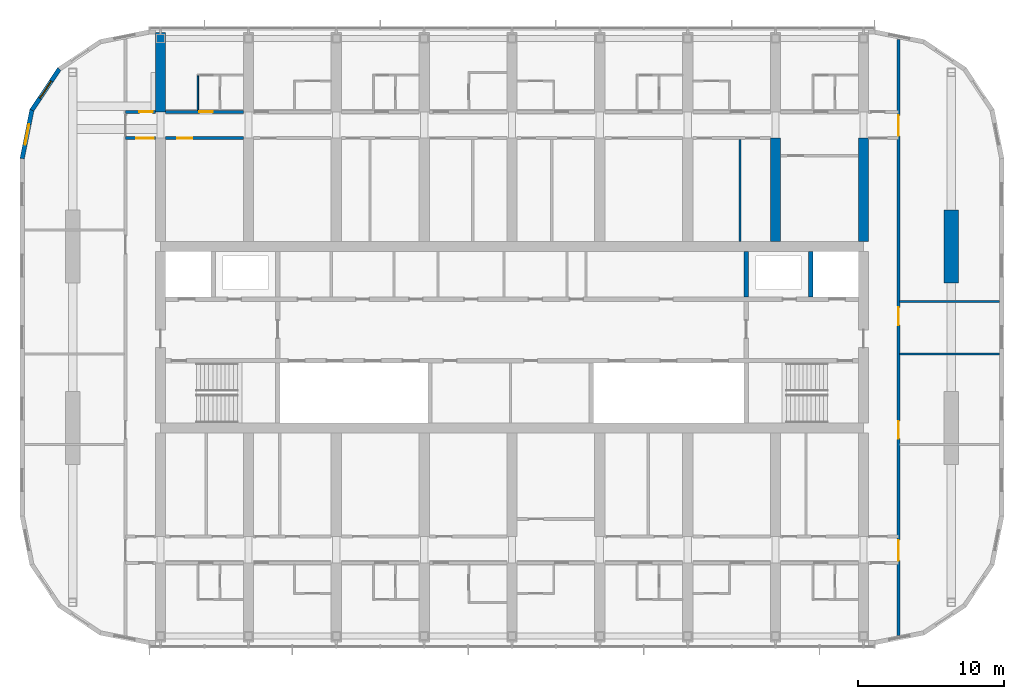
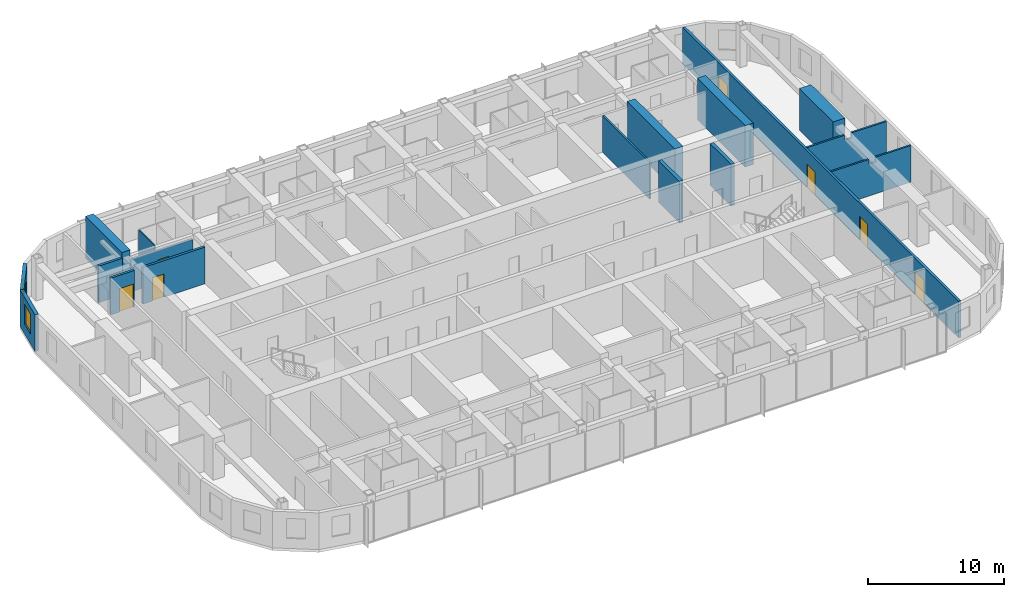
# One storey, part 15 of 23: 17 walls, 8 doors, 2 windows, 10 openings.
"""IFC4 building model written with IfcOpenShell, lengths in metres."""

import ifcopenshell
import ifcopenshell.guid

model = None  # the IFC model being written
_history = None  # IfcOwnerHistory: only IFC2X3 demands one
_inside = {}  # id of a spatial element -> (the spatial element, [elements in it])
_under = {}  # id of a project, library or spatial element -> (it, [spatial elements below it])
_declared = {}  # id of a project -> (the project, [libraries it declares])
_typed = {}  # id of a type object -> (the type object, [elements of that type])
_made_of = {}  # id of a material, layer set ... -> (it, [elements and type objects made of it])


def new_model(schema):
    """Start an empty IFC model of exactly this schema.

    Asked for "IFC4X3", IfcOpenShell would pick the latest addendum, in which some entities
    have other attributes; the version numbers below select the first issue.
    IFC2X3 requires an IfcOwnerHistory on every rooted entity: one is made here for all.
    """
    global model, _history
    if schema == "IFC4X3":
        model = ifcopenshell.file(schema_version=(4, 3, 0, 0))
    else:
        model = ifcopenshell.file(schema=schema)
    _inside.clear()
    _under.clear()
    _declared.clear()
    _typed.clear()
    _made_of.clear()
    _history = None
    if model.schema == "IFC2X3":
        org = make("IfcOrganization", Name="unknown")
        user = make(
            "IfcPersonAndOrganization",
            ThePerson=make("IfcPerson", FamilyName="unknown"),
            TheOrganization=org,
        )
        app = make(
            "IfcApplication",
            ApplicationDeveloper=org,
            Version="unknown",
            ApplicationFullName="unknown",
            ApplicationIdentifier="unknown",
        )
        _history = make(
            "IfcOwnerHistory",
            OwningUser=user,
            OwningApplication=app,
            ChangeAction="ADDED",
            CreationDate=0,
        )
    return model


def make(cls, **values):
    """One entity of the class cls with the attributes given. An attribute that is None is left unset."""
    return model.create_entity(
        cls, **{name: value for name, value in values.items() if value is not None}
    )


def rooted(cls, **values):
    """An entity with a GlobalId (a new one), such as an element, a storey or a relation."""
    return make(cls, GlobalId=ifcopenshell.guid.new(), OwnerHistory=_history, **values)


def si_unit(unit_type, name, prefix=None):
    """IfcSIUnit, for example si_unit("LENGTHUNIT", "METRE", prefix="MILLI")."""
    return make("IfcSIUnit", UnitType=unit_type, Prefix=prefix, Name=name)


def assignment(units):
    """IfcUnitAssignment: the units of a project."""
    return None if units is None else make("IfcUnitAssignment", Units=units)


def point(xyz):
    """IfcCartesianPoint."""
    return None if xyz is None else make("IfcCartesianPoint", Coordinates=xyz)


def direction(xyz):
    """IfcDirection."""
    return None if xyz is None else make("IfcDirection", DirectionRatios=xyz)


def frame(location, z_axis=None, x_axis=None):
    """IfcAxis2Placement3D, a coordinate frame: its origin and axes. An axis left out is left unset."""
    return make(
        "IfcAxis2Placement3D",
        Location=point(location),
        Axis=direction(z_axis),
        RefDirection=direction(x_axis),
    )


def frame_2d(location, x_axis=None):
    """IfcAxis2Placement2D, a coordinate frame in the plane: its origin and x axis."""
    return make(
        "IfcAxis2Placement2D", Location=point(location), RefDirection=direction(x_axis)
    )


def origin():
    """The frame at (0, 0, 0) with its axes left unset."""
    return frame((0.0, 0.0, 0.0))


def place(relative_to, where):
    """IfcLocalPlacement: puts the frame where relative to a parent placement (None: the world)."""
    return make(
        "IfcLocalPlacement", PlacementRelTo=relative_to, RelativePlacement=where
    )


def context(
    kind, dimensions, precision=None, world=None, true_north=None, identifier=None
):
    """IfcGeometricRepresentationContext, for example the 3D "Model" context."""
    return make(
        "IfcGeometricRepresentationContext",
        ContextIdentifier=identifier,
        ContextType=kind,
        CoordinateSpaceDimension=dimensions,
        Precision=precision,
        WorldCoordinateSystem=world,
        TrueNorth=true_north,
    )


def subcontext(parent, identifier, kind, view, scale=None):
    """IfcGeometricRepresentationSubContext, for example "Body" below "Model"."""
    return make(
        "IfcGeometricRepresentationSubContext",
        ContextIdentifier=identifier,
        ContextType=kind,
        ParentContext=parent,
        TargetScale=scale,
        TargetView=view,
    )


def project(units=None, contexts=None):
    """IfcProject with its units and contexts."""
    return rooted(
        "IfcProject",
        Name="project",
        RepresentationContexts=contexts,
        UnitsInContext=assignment(units),
    )


def spatial(cls, under=None, at=None, **own):
    """A site, building, storey or space (cls), placed at a placement, below another one or the project."""
    s = rooted(cls, ObjectPlacement=at, **own)
    if under is not None:
        _under.setdefault(under.id(), (under, []))[1].append(s)
    return s


def polyline(points):
    """IfcPolyline through the points."""
    return make("IfcPolyline", Points=[point(p) for p in points])


def profile(cls, at=None, kind="AREA", **sizes):
    """A parametric profile (cls). Its sizes go by their IFC names, for example OverallWidth=200.0."""
    return make(cls, ProfileType=kind, Position=at, **sizes)


def rectangle(**sizes):
    """IfcRectangleProfileDef."""
    return profile("IfcRectangleProfileDef", **sizes)


def outline(outer, holes=None, kind="AREA"):
    """IfcArbitraryClosedProfileDef: a profile drawn as a closed curve; with holes, ...WithVoids."""
    if holes is None:
        return make("IfcArbitraryClosedProfileDef", ProfileType=kind, OuterCurve=outer)
    return make(
        "IfcArbitraryProfileDefWithVoids",
        ProfileType=kind,
        OuterCurve=outer,
        InnerCurves=holes,
    )


def extrude(swept, where, along, depth):
    """IfcExtrudedAreaSolid: the profile swept, set in the frame where, extruded along a direction by depth."""
    return make(
        "IfcExtrudedAreaSolid",
        SweptArea=swept,
        Position=where,
        ExtrudedDirection=direction(along),
        Depth=depth,
    )


def shape(context_of_items, identifier, shape_type, items):
    """IfcShapeRepresentation: the items that make up one representation, for example the "Body"."""
    return make(
        "IfcShapeRepresentation",
        ContextOfItems=context_of_items,
        RepresentationIdentifier=identifier,
        RepresentationType=shape_type,
        Items=items,
    )


def material(Name=None, Category=None):
    """IfcMaterial."""
    return make("IfcMaterial", Name=Name, Category=Category)


def layer(
    of_material, thickness, ventilated=None, Name=None, Category=None, Priority=None
):
    """IfcMaterialLayer: one layer of a wall or slab, of a material (None: an air gap)."""
    return make(
        "IfcMaterialLayer",
        Material=of_material,
        LayerThickness=thickness,
        IsVentilated=ventilated,
        Name=Name,
        Category=Category,
        Priority=Priority,
    )


def layer_set(layers, Name=None):
    """IfcMaterialLayerSet."""
    return make("IfcMaterialLayerSet", MaterialLayers=layers, LayerSetName=Name)


def made_of(thing, what):
    """Note that an element or type object is made of a material, layer set ...; save() writes the relation."""
    if what is not None:
        _made_of.setdefault(what.id(), (what, []))[1].append(thing)
    return thing


def type_object(cls, material=None, **own):
    """A type object (cls), such as IfcWallType, which elements share."""
    return made_of(rooted(cls, **own), material)


def element(
    cls,
    number,
    at=None,
    inside=None,
    cuts=None,
    type_object=None,
    material=None,
    context=None,
    identifier="Body",
    shape_type=None,
    held_by="IfcProductDefinitionShape",
    body=None,
    shapes=None,
    **own,
):
    """One element of the class cls, such as IfcWall. Its Tag is "e" and its number.

    at: its placement. inside: the storey or other place that contains it. cuts: it is an
    opening in that element (IfcRelVoidsElement). A single representation is given by context,
    identifier, shape_type and body (its items); several are given by shapes. held_by: the class
    of the entity that holds the representations. save() writes the other relations.
    """
    e = rooted(cls, Tag="e%d" % number, ObjectPlacement=at, **own)
    if body is not None:
        shapes = [shape(context, identifier, shape_type, body)]
    if shapes is not None:
        e.Representation = make(held_by, Representations=shapes)
    if inside is not None:
        _inside.setdefault(inside.id(), (inside, []))[1].append(e)
    if cuts is not None:
        rooted(
            "IfcRelVoidsElement", RelatingBuildingElement=cuts, RelatedOpeningElement=e
        )
    if type_object is not None:
        _typed.setdefault(type_object.id(), (type_object, []))[1].append(e)
    return made_of(e, material)


def fill(opening, filler):
    """IfcRelFillsElement: the door or window that sits in an opening."""
    return rooted(
        "IfcRelFillsElement",
        RelatingOpeningElement=opening,
        RelatedBuildingElement=filler,
    )


def aggregate(whole, parts):
    """IfcRelAggregates: a whole, such as a stair, and the parts it consists of."""
    return rooted("IfcRelAggregates", RelatingObject=whole, RelatedObjects=parts)


def save(model, path):
    """Write the relations noted so far, then the file.

    IfcRelAggregates (storeys below a building ...), IfcRelContainedInSpatialStructure (elements
    in a storey), IfcRelDefinesByType, IfcRelAssociatesMaterial and IfcRelDeclares: one each for
    every whole, place, type object, material and project.
    """
    for whole, parts in _under.values():
        aggregate(whole, parts)
    for where, things in _inside.values():
        rooted(
            "IfcRelContainedInSpatialStructure",
            RelatedElements=things,
            RelatingStructure=where,
        )
    for kind, things in _typed.values():
        rooted("IfcRelDefinesByType", RelatedObjects=things, RelatingType=kind)
    for what, things in _made_of.values():
        rooted("IfcRelAssociatesMaterial", RelatedObjects=things, RelatingMaterial=what)
    for by, libraries in _declared.values():
        rooted("IfcRelDeclares", RelatingContext=by, RelatedDefinitions=libraries)
    model.write(path)


model = new_model("IFC4")

# Units and contexts
model_context = context("Model", 3, precision=1e-05, world=origin(), true_north=direction((0.0, 1.0)))
body_context = subcontext(model_context, "Body", "Model", "MODEL_VIEW")
ifc_project = project(units=[si_unit("LENGTHUNIT", "METRE"), si_unit("AREAUNIT", "SQUARE_METRE"), si_unit("VOLUMEUNIT", "CUBIC_METRE"), si_unit("PLANEANGLEUNIT", "RADIAN"), si_unit("MASSUNIT", "GRAM", prefix="KILO")], contexts=[model_context])

# Site, building, storey
site_placement = place(None, origin())
site = spatial("IfcSite", under=ifc_project, at=site_placement, CompositionType="ELEMENT")
building_placement = place(site_placement, origin())
building = spatial("IfcBuilding", under=site, at=building_placement, Name="Orbita Commons", CompositionType="ELEMENT")
storey_placement = place(building_placement, frame((0.0, 0.0, 227.800048828125)))
storey = spatial("IfcBuildingStorey", under=building, at=storey_placement, Name="L56", CompositionType="ELEMENT", Elevation=227.800048828125)

# Walls
ifc_material_1 = material(Name="Concrete C50/60", Category="concrete")
ifc_layer_1 = layer(ifc_material_1, 0.300048828125)
ifc_layer_set_1 = layer_set([ifc_layer_1], Name="Concrete C50/60")
wall_type_1 = type_object("IfcWallType", Name="Core inner wall 300 C50/60", PredefinedType="SHEAR", material=ifc_layer_set_1)
for number, where, z_axis, x_axis, name in (
    (1, (62.39990234375, 34.75, 0.0), (0.0, 0.0, 1.0), (0.0, 1.0, 0.0), "Firefighting lift FL2 shaft wall L56"),
    (2, (58.0, 34.75, 0.0), (0.0, 0.0, 1.0), (0.0, 1.0, 0.0), "Riser wall east L56"),
):
    element("IfcWall", number, at=place(storey_placement, frame(where, z_axis=z_axis, x_axis=x_axis)), inside=storey, type_object=wall_type_1, Name=name, PredefinedType="SHEAR", context=body_context, shape_type="SweptSolid", body=[
        extrude(rectangle(XDim=3.10009765625, YDim=0.300048828125, at=frame_2d((1.550048828125, 0.0))), origin(), (0.0, 0.0, 1.0), 3.75),
    ])

# Wall, opening, door
ifc_material_2 = material(Name="Concrete blockwork", Category="masonry")
ifc_layer_2 = layer(ifc_material_2, 0.199951171875)
ifc_layer_set_2 = layer_set([ifc_layer_2], Name="Concrete blockwork")
wall_type_2 = type_object("IfcWallType", Name="Corridor wall 200 blockwork", PredefinedType="SOLIDWALL", material=ifc_layer_set_2)
wall_1_placement = place(storey_placement, frame((15.60009765625, 47.39990234375, 0.0), z_axis=(0.0, 0.0, 1.0), x_axis=(1.0, 0.0, 0.0)))
wall_1 = element("IfcWall", 3, at=wall_1_placement, inside=storey, type_object=wall_type_2, Name="Corridor wall 200 blockwork L56", PredefinedType="SOLIDWALL", context=body_context, shape_type="SweptSolid", body=[
    extrude(rectangle(XDim=2.0498046875, YDim=0.199951171875, at=frame_2d((1.02490234375, 0.0))), origin(), (0.0, 0.0, 1.0), 3.300048828125),
])
opening_1_placement = place(wall_1_placement, frame((0.949951171875, 0.0, 0.0)))
opening_1 = element("IfcOpeningElement", 4, at=opening_1_placement, cuts=wall_1, Name="Opening D05", PredefinedType="OPENING", context=body_context, shape_type="SweptSolid", body=[
    extrude(rectangle(XDim=0.89990234375, YDim=2.10009765625, at=frame_2d((0.449951171875, 1.050048828125))), frame((0.0, 0.10986328125, 0.0), z_axis=(0.0, -1.0, 0.0), x_axis=(1.0, 0.0, 0.0)), (0.0, 0.0, 1.0), 0.219970703125),
])
ifc_material_3 = material(Name="Steel-faced fire door leaf", Category="steel")
door_type_1 = type_object("IfcDoorType", Name="Service door 20 min 900x2100", OperationType="SINGLE_SWING_LEFT", PredefinedType="DOOR", material=ifc_material_3)
door_1_placement = place(opening_1_placement, origin())
door_1 = element("IfcDoor", 5, at=door_1_placement, inside=storey, type_object=door_type_1, Name="Linen store L56-KWN door", OperationType="SINGLE_SWING_LEFT", OverallHeight=2.10009765625, OverallWidth=0.89990234375, PredefinedType="DOOR", context=body_context, shape_type="SweptSolid", body=[
    extrude(rectangle(XDim=0.89990234375, YDim=2.10009765625, at=frame_2d((0.449951171875, 1.050048828125))), frame((0.0, 0.02490234375, 0.0), z_axis=(0.0, -1.0, 0.0), x_axis=(1.0, 0.0, 0.0)), (0.0, 0.0, 1.0), 0.050048828125),
])
fill(opening_1, door_1)

wall_2_placement = place(storey_placement, frame((18.35009765625, 47.39990234375, 0.0), z_axis=(0.0, 0.0, 1.0), x_axis=(1.0, 0.0, 0.0)))
wall_2 = element("IfcWall", 6, at=wall_2_placement, inside=storey, type_object=wall_type_2, Name="Corridor wall 200 blockwork L56", PredefinedType="SOLIDWALL", context=body_context, shape_type="SweptSolid", body=[
    extrude(outline(polyline([(0.0, 0.0), (5.2998046875, 0.0), (5.300048828125, 2.89990234375), (0.0, 2.89990234375), (0.0, 0.0)])), frame((0.0, 0.10009765625, 0.0), z_axis=(0.0, -1.0, 0.0), x_axis=(1.0, 0.0, 0.0)), (0.0, 0.0, 1.0), 0.199951171875),
])
opening_2_placement = place(wall_2_placement, frame((2.300048828125, 0.0, 0.0)))
opening_2 = element("IfcOpeningElement", 7, at=opening_2_placement, cuts=wall_2, Name="Opening D11", PredefinedType="OPENING", context=body_context, shape_type="SweptSolid", body=[
    extrude(rectangle(XDim=0.89990234375, YDim=2.10009765625, at=frame_2d((0.449951171875, 1.050048828125))), frame((0.0, 0.10986328125, 0.0), z_axis=(0.0, -1.0, 0.0), x_axis=(1.0, 0.0, 0.0)), (0.0, 0.0, 1.0), 0.219970703125),
])
ifc_material_4 = material(Name="Steel-faced fire door leaf", Category="steel")
door_type_2 = type_object("IfcDoorType", Name="Corridor door 20 min 900x2100", OperationType="SINGLE_SWING_LEFT", PredefinedType="DOOR", material=ifc_material_4)
door_2_placement = place(opening_2_placement, origin())
door_2 = element("IfcDoor", 8, at=door_2_placement, inside=storey, type_object=door_type_2, Name="Studio flat L56-N00 entrance door", OperationType="SINGLE_SWING_LEFT", OverallHeight=2.10009765625, OverallWidth=0.89990234375, PredefinedType="DOOR", context=body_context, shape_type="SweptSolid", body=[
    extrude(rectangle(XDim=0.89990234375, YDim=2.10009765625, at=frame_2d((0.449951171875, 1.050048828125))), frame((0.0, 0.02490234375, 0.0), z_axis=(0.0, -1.0, 0.0), x_axis=(1.0, 0.0, 0.0)), (0.0, 0.0, 1.0), 0.050048828125),
])
fill(opening_2, door_2)

# Wall, openings, doors
wall_3_placement = place(storey_placement, frame((68.39990234375, 11.646240234375, 0.0), z_axis=(0.0, 0.0, 1.0), x_axis=(0.0, 1.0, 0.0)))
wall_3 = element("IfcWall", 9, at=wall_3_placement, inside=storey, type_object=wall_type_2, Name="Corridor wall 200 blockwork L56", PredefinedType="SOLIDWALL", context=body_context, shape_type="SweptSolid", body=[
    extrude(rectangle(XDim=40.70751953125, YDim=0.199951171875, at=frame_2d((20.353759765625, 0.0))), origin(), (0.0, 0.0, 1.0), 3.300048828125),
])
opening_3_placement = place(wall_3_placement, frame((13.433837890625, 0.0, 0.0)))
opening_3 = element("IfcOpeningElement", 10, at=opening_3_placement, cuts=wall_3, Name="Opening D15", PredefinedType="OPENING", context=body_context, shape_type="SweptSolid", body=[
    extrude(rectangle(XDim=1.199951171875, YDim=2.10009765625, at=frame_2d((0.60009765625, 1.050048828125))), frame((0.0, 0.10986328125, 0.0), z_axis=(0.0, -1.0, 0.0), x_axis=(1.0, 0.0, 0.0)), (0.0, 0.0, 1.0), 0.219970703125),
])
opening_4_placement = place(wall_3_placement, frame((21.19384765625, 0.0, 0.0)))
opening_4 = element("IfcOpeningElement", 11, at=opening_4_placement, cuts=wall_3, Name="Opening D15", PredefinedType="OPENING", context=body_context, shape_type="SweptSolid", body=[
    extrude(rectangle(XDim=1.199951171875, YDim=2.10009765625, at=frame_2d((0.60009765625, 1.050048828125))), frame((0.0, 0.10986328125, 0.0), z_axis=(0.0, -1.0, 0.0), x_axis=(1.0, 0.0, 0.0)), (0.0, 0.0, 1.0), 0.219970703125),
])
opening_5_placement = place(wall_3_placement, frame((5.103759765625, 0.0, 0.0)))
opening_5 = element("IfcOpeningElement", 12, at=opening_5_placement, cuts=wall_3, Name="Opening D08", PredefinedType="OPENING", context=body_context, shape_type="SweptSolid", body=[
    extrude(rectangle(XDim=1.39990234375, YDim=2.10009765625, at=frame_2d((0.699951171875, 1.050048828125))), frame((0.0, 0.10986328125, 0.0), z_axis=(0.0, -1.0, 0.0), x_axis=(1.0, 0.0, 0.0)), (0.0, 0.0, 1.0), 0.219970703125),
])
opening_6_placement = place(wall_3_placement, frame((34.103759765625, 0.0, 0.0)))
opening_6 = element("IfcOpeningElement", 13, at=opening_6_placement, cuts=wall_3, Name="Opening D08", PredefinedType="OPENING", context=body_context, shape_type="SweptSolid", body=[
    extrude(rectangle(XDim=1.39990234375, YDim=2.10009765625, at=frame_2d((0.699951171875, 1.050048828125))), frame((0.0, 0.10986328125, 0.0), z_axis=(0.0, -1.0, 0.0), x_axis=(1.0, 0.0, 0.0)), (0.0, 0.0, 1.0), 0.219970703125),
])
ifc_material_5 = material(Name="Steel-faced fire door leaf", Category="steel")
door_type_3 = type_object("IfcDoorType", Name="Corridor door 20 min 1200x2100", OperationType="SINGLE_SWING_LEFT", PredefinedType="DOOR", material=ifc_material_5)
door_3_placement = place(opening_3_placement, origin())
door_3 = element("IfcDoor", 14, at=door_3_placement, inside=storey, type_object=door_type_3, Name="Floor kitchen door", OperationType="SINGLE_SWING_LEFT", OverallHeight=2.10009765625, OverallWidth=1.199951171875, PredefinedType="DOOR", context=body_context, shape_type="SweptSolid", body=[
    extrude(rectangle(XDim=1.199951171875, YDim=2.10009765625, at=frame_2d((0.60009765625, 1.050048828125))), frame((0.0, 0.02490234375, 0.0), z_axis=(0.0, -1.0, 0.0), x_axis=(1.0, 0.0, 0.0)), (0.0, 0.0, 1.0), 0.050048828125),
])
fill(opening_3, door_3)
door_4_placement = place(opening_4_placement, origin())
door_4 = element("IfcDoor", 15, at=door_4_placement, inside=storey, type_object=door_type_3, Name="Study commons door", OperationType="SINGLE_SWING_LEFT", OverallHeight=2.10009765625, OverallWidth=1.199951171875, PredefinedType="DOOR", context=body_context, shape_type="SweptSolid", body=[
    extrude(rectangle(XDim=1.199951171875, YDim=2.10009765625, at=frame_2d((0.60009765625, 1.050048828125))), frame((0.0, 0.02490234375, 0.0), z_axis=(0.0, -1.0, 0.0), x_axis=(1.0, 0.0, 0.0)), (0.0, 0.0, 1.0), 0.050048828125),
])
fill(opening_4, door_4)
ifc_material_6 = material(Name="Steel-faced fire door leaf", Category="steel")
door_type_4 = type_object("IfcDoorType", Name="Double corridor door 20 min 1400x2100", OperationType="DOUBLE_DOOR_SINGLE_SWING", PredefinedType="DOOR", material=ifc_material_6)
door_5_placement = place(opening_5_placement, origin())
door_5 = element("IfcDoor", 16, at=door_5_placement, inside=storey, type_object=door_type_4, Name="Lounge doors", OperationType="DOUBLE_DOOR_SINGLE_SWING", OverallHeight=2.10009765625, OverallWidth=1.39990234375, PredefinedType="DOOR", context=body_context, shape_type="SweptSolid", body=[
    extrude(rectangle(XDim=1.39990234375, YDim=2.10009765625, at=frame_2d((0.699951171875, 1.050048828125))), frame((0.0, 0.02490234375, 0.0), z_axis=(0.0, -1.0, 0.0), x_axis=(1.0, 0.0, 0.0)), (0.0, 0.0, 1.0), 0.050048828125),
])
fill(opening_5, door_5)
door_6_placement = place(opening_6_placement, origin())
door_6 = element("IfcDoor", 17, at=door_6_placement, inside=storey, type_object=door_type_4, Name="Lounge doors", OperationType="DOUBLE_DOOR_SINGLE_SWING", OverallHeight=2.10009765625, OverallWidth=1.39990234375, PredefinedType="DOOR", context=body_context, shape_type="SweptSolid", body=[
    extrude(rectangle(XDim=1.39990234375, YDim=2.10009765625, at=frame_2d((0.699951171875, 1.050048828125))), frame((0.0, 0.02490234375, 0.0), z_axis=(0.0, -1.0, 0.0), x_axis=(1.0, 0.0, 0.0)), (0.0, 0.0, 1.0), 0.050048828125),
])
fill(opening_6, door_6)

# Wall, opening, door
ifc_material_7 = material(Name="Hollow concrete block 200", Category="concrete")
ifc_layer_3 = layer(ifc_material_7, 0.199951171875)
ifc_layer_set_3 = layer_set([ifc_layer_3], Name="Hollow concrete block 200")
wall_type_3 = type_object("IfcWallType", Name="Corridor wall 200 hollow concrete block", PredefinedType="SOLIDWALL", material=ifc_layer_set_3)
wall_4_placement = place(storey_placement, frame((15.60009765625, 45.60009765625, 0.0), z_axis=(0.0, 0.0, 1.0), x_axis=(1.0, 0.0, 0.0)))
wall_4 = element("IfcWall", 18, at=wall_4_placement, inside=storey, type_object=wall_type_3, Name="Corridor wall 200 hollow concrete block L56", PredefinedType="SOLIDWALL", context=body_context, shape_type="SweptSolid", body=[
    extrude(rectangle(XDim=2.0498046875, YDim=0.199951171875, at=frame_2d((1.02490234375, 0.0))), origin(), (0.0, 0.0, 1.0), 3.300048828125),
])
opening_7_placement = place(wall_4_placement, frame((0.75, 0.0, 0.0)))
opening_7 = element("IfcOpeningElement", 19, at=opening_7_placement, cuts=wall_4, Name="Opening D12", PredefinedType="OPENING", context=body_context, shape_type="SweptSolid", body=[
    extrude(rectangle(XDim=1.199951171875, YDim=2.10009765625, at=frame_2d((0.60009765625, 1.050048828125))), frame((0.0, 0.10986328125, 0.0), z_axis=(0.0, -1.0, 0.0), x_axis=(1.0, 0.0, 0.0)), (0.0, 0.0, 1.0), 0.219970703125),
])
ifc_material_8 = material(Name="Steel-faced fire door leaf", Category="steel")
door_type_5 = type_object("IfcDoorType", Name="Double corridor door 20 min 1200x2100", OperationType="DOUBLE_DOOR_SINGLE_SWING", PredefinedType="DOOR", material=ifc_material_8)
door_7_placement = place(opening_7_placement, origin())
door_7 = element("IfcDoor", 20, at=door_7_placement, inside=storey, type_object=door_type_5, Name="Cross corridor doors", OperationType="DOUBLE_DOOR_SINGLE_SWING", OverallHeight=2.10009765625, OverallWidth=1.199951171875, PredefinedType="DOOR", context=body_context, shape_type="SweptSolid", body=[
    extrude(rectangle(XDim=1.199951171875, YDim=2.10009765625, at=frame_2d((0.60009765625, 1.050048828125))), frame((0.0, 0.02490234375, 0.0), z_axis=(0.0, -1.0, 0.0), x_axis=(1.0, 0.0, 0.0)), (0.0, 0.0, 1.0), 0.050048828125),
])
fill(opening_7, door_7)

wall_5_placement = place(storey_placement, frame((18.35009765625, 45.60009765625, 0.0), z_axis=(0.0, 0.0, 1.0), x_axis=(1.0, 0.0, 0.0)))
wall_5 = element("IfcWall", 21, at=wall_5_placement, inside=storey, type_object=wall_type_3, Name="Corridor wall 200 hollow concrete block L56", PredefinedType="SOLIDWALL", context=body_context, shape_type="SweptSolid", body=[
    extrude(rectangle(XDim=5.2998046875, YDim=0.199951171875, at=frame_2d((2.64990234375, 0.0))), origin(), (0.0, 0.0, 1.0), 3.300048828125),
])
opening_8_placement = place(wall_5_placement, frame((0.800048828125, 0.0, 0.0)))
opening_8 = element("IfcOpeningElement", 22, at=opening_8_placement, cuts=wall_5, Name="Opening D06", PredefinedType="OPENING", context=body_context, shape_type="SweptSolid", body=[
    extrude(rectangle(XDim=1.0, YDim=2.10009765625, at=frame_2d((0.5, 1.050048828125))), frame((0.0, 0.10986328125, 0.0), z_axis=(0.0, -1.0, 0.0), x_axis=(1.0, 0.0, 0.0)), (0.0, 0.0, 1.0), 0.219970703125),
])
ifc_material_9 = material(Name="Steel-faced fire door leaf", Category="steel")
door_type_6 = type_object("IfcDoorType", Name="Corridor door 20 min 1000x2100", OperationType="SINGLE_SWING_LEFT", PredefinedType="DOOR", material=ifc_material_9)
door_8_placement = place(opening_8_placement, origin())
door_8 = element("IfcDoor", 23, at=door_8_placement, inside=storey, type_object=door_type_6, Name="Faculty pantry L56-BDN18 door", OperationType="SINGLE_SWING_LEFT", OverallHeight=2.10009765625, OverallWidth=1.0, PredefinedType="DOOR", context=body_context, shape_type="SweptSolid", body=[
    extrude(rectangle(XDim=1.0, YDim=2.10009765625, at=frame_2d((0.5, 1.050048828125))), frame((0.0, 0.02490234375, 0.0), z_axis=(0.0, -1.0, 0.0), x_axis=(1.0, 0.0, 0.0)), (0.0, 0.0, 1.0), 0.050048828125),
])
fill(opening_8, door_8)

# Walls
ifc_material_10 = material(Name="Concrete C50/60", Category="concrete")
ifc_layer_4 = layer(ifc_material_10, 0.699951171875)
ifc_layer_set_4 = layer_set([ifc_layer_4], Name="Concrete C50/60")
wall_type_4 = type_object("IfcWallType", Name="Cross wall 700 C50/60", PredefinedType="SHEAR", material=ifc_layer_set_4)
wall_6_placement = place(storey_placement, frame((18.0, 47.39990234375, 0.0), z_axis=(0.0, 0.0, 1.0), x_axis=(0.0, 1.0, 0.0)))
element("IfcWall", 24, at=wall_6_placement, inside=storey, type_object=wall_type_4, Name="Cross wall 4 north outer L56", PredefinedType="SHEAR", context=body_context, shape_type="SweptSolid", body=[
    extrude(rectangle(XDim=5.400146484375, YDim=0.699951171875, at=frame_2d((2.7001953125, 0.0))), origin(), (0.0, 0.0, 1.0), 3.75),
])
for number, where, z_axis, x_axis, name in (
    (25, (60.0, 38.550048828125, 0.0), (0.0, 0.0, 1.0), (0.0, 1.0, 0.0), "Cross wall 11 north inner L56"),
    (26, (66.0, 38.550048828125, 0.0), (0.0, 0.0, 1.0), (0.0, 1.0, 0.0), "Cross wall 12 north inner L56"),
):
    element("IfcWall", number, at=place(storey_placement, frame(where, z_axis=z_axis, x_axis=x_axis)), inside=storey, type_object=wall_type_4, Name=name, PredefinedType="SHEAR", context=body_context, shape_type="SweptSolid", body=[
        extrude(rectangle(XDim=7.050048828125, YDim=0.699951171875, at=frame_2d((3.52490234375, 0.0))), origin(), (0.0, 0.0, 1.0), 3.75),
    ])
ifc_material_11 = material(Name="Moisture-resistant plasterboard on steel studs", Category="steel")
ifc_layer_5 = layer(ifc_material_11, 0.10009765625)
ifc_layer_set_5 = layer_set([ifc_layer_5], Name="Moisture-resistant plasterboard on steel studs")
wall_type_5 = type_object("IfcWallType", Name="En-suite partition 100", PredefinedType="PARTITIONING", material=ifc_layer_set_5)
wall_7_placement = place(storey_placement, frame((20.550048828125, 49.85009765625, 0.0), z_axis=(0.0, 0.0, 1.0), x_axis=(0.0, -1.0, 0.0)))
element("IfcWall", 27, at=wall_7_placement, inside=storey, type_object=wall_type_5, Name="En-suite partition 100 L56", PredefinedType="PARTITIONING", context=body_context, shape_type="SweptSolid", body=[
    extrude(outline(polyline([(0.0, 0.0), (2.35009765625, 0.0), (2.35009765625, 2.89990234375), (2.302001953125, 2.89990234375), (2.300048828125, 3.300048828125), (0.0, 3.300048828125), (0.0, 0.0)])), frame((0.0, 0.050048828125, 0.0), z_axis=(0.0, -1.0, 0.0), x_axis=(1.0, 0.0, 0.0)), (0.0, 0.0, 1.0), 0.10009765625),
])
ifc_material_12 = material(Name="Concrete C50/60", Category="concrete")
ifc_layer_6 = layer(ifc_material_12, 1.0)
ifc_layer_set_6 = layer_set([ifc_layer_6], Name="Concrete C50/60")
wall_type_6 = type_object("IfcWallType", Name="End pier 1000x5000 C50/60", PredefinedType="SHEAR", material=ifc_layer_set_6)
wall_8_placement = place(storey_placement, frame((72.0, 35.699951171875, 0.0), z_axis=(0.0, 0.0, 1.0), x_axis=(0.0, 1.0, 0.0)))
element("IfcWall", 28, at=wall_8_placement, inside=storey, type_object=wall_type_6, Name="End pier 13/D L56", PredefinedType="SHEAR", context=body_context, shape_type="SweptSolid", body=[
    extrude(rectangle(XDim=5.0, YDim=1.0, at=frame_2d((2.5, 0.0))), origin(), (0.0, 0.0, 1.0), 3.75),
])
ifc_material_13 = material(Name="Gypsum plasterboard on steel studs", Category="steel")
ifc_layer_7 = layer(ifc_material_13, 0.14990234375)
ifc_layer_set_7 = layer_set([ifc_layer_7], Name="Gypsum plasterboard on steel studs")
wall_type_7 = type_object("IfcWallType", Name="Partition 150 plasterboard", PredefinedType="PARTITIONING", material=ifc_layer_set_7)
wall_9_placement = place(storey_placement, frame((57.56494140625, 38.550048828125, 0.0), z_axis=(0.0, 0.0, 1.0), x_axis=(0.0, 1.0, 0.0)))
element("IfcWall", 29, at=wall_9_placement, inside=storey, type_object=wall_type_7, Name="Partition 150 plasterboard L56", PredefinedType="PARTITIONING", context=body_context, shape_type="SweptSolid", body=[
    extrude(rectangle(XDim=6.949951171875, YDim=0.14990234375, at=frame_2d((3.47509765625, 0.0))), origin(), (0.0, 0.0, 1.0), 3.300048828125),
])
for number, where, z_axis, x_axis, name in (
    (30, (68.47509765625, 30.85009765625, 0.0), (0.0, 0.0, 1.0), (1.0, 0.0, 0.0), "Partition 150 plasterboard L56"),
    (31, (68.47509765625, 34.43994140625, 0.0), (0.0, 0.0, 1.0), (1.0, 0.0, 0.0), "Partition 150 plasterboard L56"),
):
    element("IfcWall", number, at=place(storey_placement, frame(where, z_axis=z_axis, x_axis=x_axis)), inside=storey, type_object=wall_type_7, Name=name, PredefinedType="PARTITIONING", context=body_context, shape_type="SweptSolid", body=[
        extrude(outline(polyline([(0.0, 0.0), (6.81982421875, 0.0), (6.820068359375, 3.300048828125), (3.826904296875, 3.300048828125), (3.824951171875, 2.849853515625), (3.22705078125, 2.849853515625), (3.22509765625, 3.300048828125), (0.0, 3.300048828125), (0.0, 0.0)])), frame((0.0, 0.074951171875, 0.0), z_axis=(0.0, -1.0, 0.0), x_axis=(1.0, 0.0, 0.0)), (0.0, 0.0, 1.0), 0.14990234375),
    ])

# Wall, opening, window
ifc_material_14 = material(Name="Precast concrete C40/50, white board-marked finish", Category="concrete")
ifc_layer_8 = layer(ifc_material_14, 0.300048828125)
ifc_layer_set_8 = layer_set([ifc_layer_8], Name="Precast concrete C40/50, white board-marked finish")
wall_type_8 = type_object("IfcWallType", Name="Precast concrete end shield 300", PredefinedType="SOLIDWALL", material=ifc_layer_set_8)
wall_10_placement = place(storey_placement, frame((11.08349609375, 50.31640625, 0.0), z_axis=(0.0, 0.0, 1.0), x_axis=(-0.555567969291, -0.831471124873, 0.0)))
wall_10 = element("IfcWall", 32, at=wall_10_placement, inside=storey, type_object=wall_type_8, Name="End shield NW chord 3 L56", PredefinedType="SOLIDWALL", context=body_context, shape_type="SweptSolid", body=[
    extrude(outline(polyline([(-0.02978515625, -0.14990234375), (3.40478515625, -0.14990234375), (3.34521484375, 0.14990234375), (0.02978515625, 0.14990234375), (-0.02978515625, -0.14990234375)])), origin(), (0.0, 0.0, 1.0), 3.300048828125),
])
opening_9_placement = place(wall_10_placement, frame((0.987548828125, 0.0, 0.89990234375)))
opening_9 = element("IfcOpeningElement", 33, at=opening_9_placement, cuts=wall_10, Name="Opening W02", PredefinedType="OPENING", context=body_context, shape_type="SweptSolid", body=[
    extrude(rectangle(XDim=1.39990234375, YDim=1.800048828125, at=frame_2d((0.699951171875, 0.89990234375))), frame((0.0, 0.159912109375, 0.0), z_axis=(0.0, -1.0, 0.0), x_axis=(1.0, 0.0, 0.0)), (0.0, 0.0, 1.0), 0.320068359375),
])
ifc_material_15 = material(Name="Aluminium frame, clear double glazing", Category="aluminium")
window_type = type_object("IfcWindowType", Name="Deep-set window 1400x1800", PartitioningType="SINGLE_PANEL", PredefinedType="WINDOW", material=ifc_material_15)
window_1_placement = place(opening_9_placement, origin())
window_1 = element("IfcWindow", 34, at=window_1_placement, inside=storey, type_object=window_type, Name="Window L56-NW2", OverallHeight=1.800048828125, OverallWidth=1.39990234375, PartitioningType="SINGLE_PANEL", PredefinedType="WINDOW", context=body_context, shape_type="SweptSolid", body=[
    extrude(rectangle(XDim=1.39990234375, YDim=1.800048828125, at=frame_2d((0.699951171875, 0.89990234375))), frame((0.0, 0.030029296875, 0.0), z_axis=(0.0, -1.0, 0.0), x_axis=(1.0, 0.0, 0.0)), (0.0, 0.0, 1.0), 0.06005859375),
])
fill(opening_9, window_1)

wall_11_placement = place(storey_placement, frame((9.20849609375, 47.51025390625, 0.0), z_axis=(0.0, 0.0, 1.0), x_axis=(-0.19508664885, -0.980786011034, 0.0)))
wall_11 = element("IfcWall", 35, at=wall_11_placement, inside=storey, type_object=wall_type_8, Name="End shield NW chord 4 L56", PredefinedType="SOLIDWALL", context=body_context, shape_type="SweptSolid", body=[
    extrude(outline(polyline([(-0.02978515625, -0.14990234375), (3.39013671875, -0.14990234375), (3.3603515625, 0.14990234375), (0.02978515625, 0.14990234375), (-0.02978515625, -0.14990234375)])), origin(), (0.0, 0.0, 1.0), 3.300048828125),
])
opening_10_placement = place(wall_11_placement, frame((0.987548828125, 0.0, 0.89990234375)))
opening_10 = element("IfcOpeningElement", 36, at=opening_10_placement, cuts=wall_11, Name="Opening W02", PredefinedType="OPENING", context=body_context, shape_type="SweptSolid", body=[
    extrude(rectangle(XDim=1.39990234375, YDim=1.800048828125, at=frame_2d((0.699951171875, 0.89990234375))), frame((0.0, 0.159912109375, 0.0), z_axis=(0.0, -1.0, 0.0), x_axis=(1.0, 0.0, 0.0)), (0.0, 0.0, 1.0), 0.320068359375),
])
window_2_placement = place(opening_10_placement, origin())
window_2 = element("IfcWindow", 37, at=window_2_placement, inside=storey, type_object=window_type, Name="Window L56-NW3", OverallHeight=1.800048828125, OverallWidth=1.39990234375, PartitioningType="SINGLE_PANEL", PredefinedType="WINDOW", context=body_context, shape_type="SweptSolid", body=[
    extrude(rectangle(XDim=1.39990234375, YDim=1.800048828125, at=frame_2d((0.699951171875, 0.89990234375))), frame((0.0, 0.030029296875, 0.0), z_axis=(0.0, -1.0, 0.0), x_axis=(1.0, 0.0, 0.0)), (0.0, 0.0, 1.0), 0.06005859375),
])
fill(opening_10, window_2)

save(model, "model.ifc")
